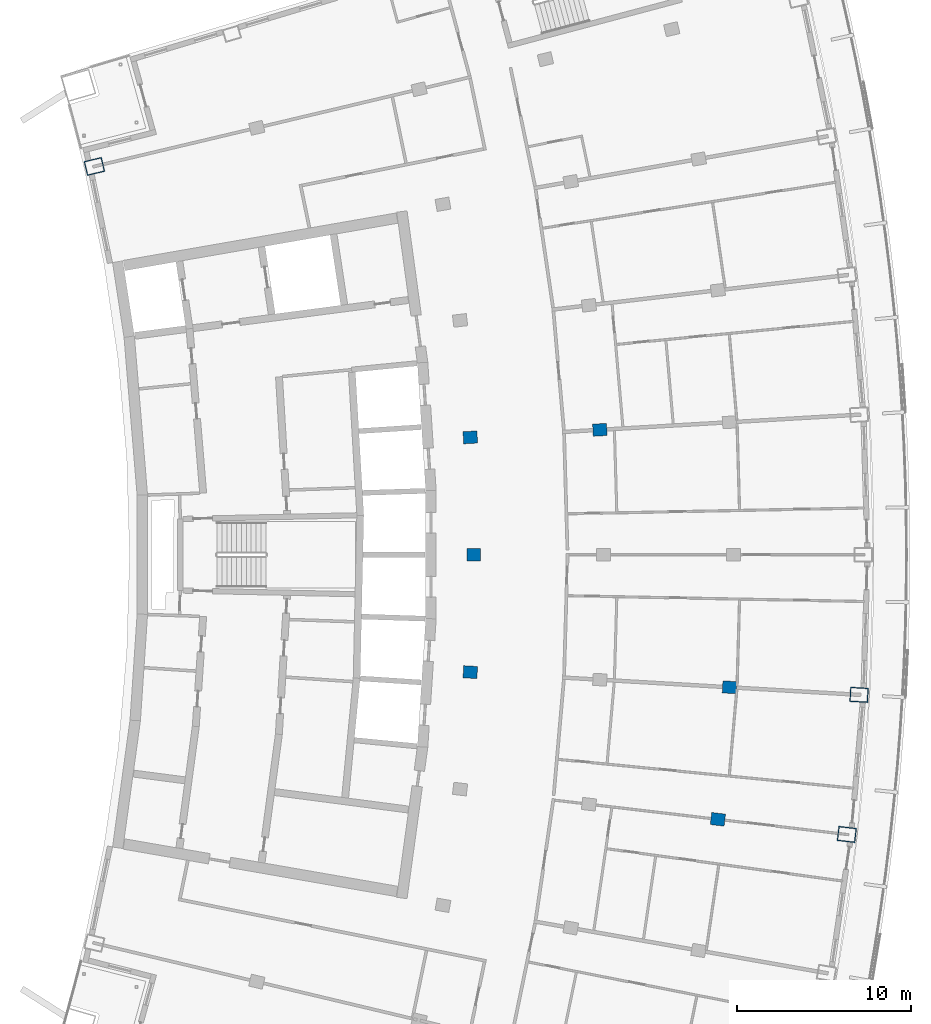
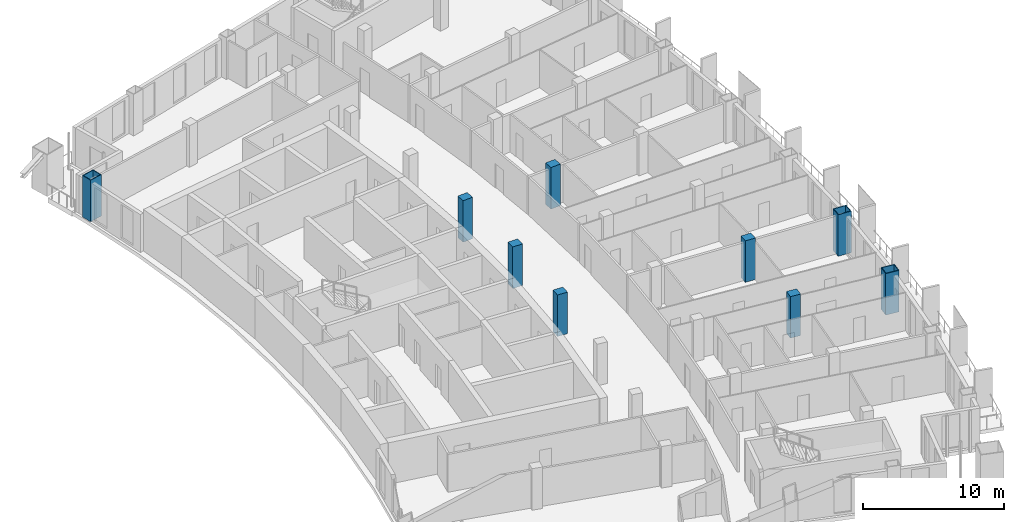
# One storey, part 4 of 19: 9 columns.
"""IFC4 building model written with IfcOpenShell, lengths in metres."""

import ifcopenshell
import ifcopenshell.guid

model = None  # the IFC model being written
_history = None  # IfcOwnerHistory: only IFC2X3 demands one
_inside = {}  # id of a spatial element -> (the spatial element, [elements in it])
_under = {}  # id of a project, library or spatial element -> (it, [spatial elements below it])
_declared = {}  # id of a project -> (the project, [libraries it declares])
_typed = {}  # id of a type object -> (the type object, [elements of that type])
_made_of = {}  # id of a material, layer set ... -> (it, [elements and type objects made of it])


def new_model(schema):
    """Start an empty IFC model of exactly this schema.

    Asked for "IFC4X3", IfcOpenShell would pick the latest addendum, in which some entities
    have other attributes; the version numbers below select the first issue.
    IFC2X3 requires an IfcOwnerHistory on every rooted entity: one is made here for all.
    """
    global model, _history
    if schema == "IFC4X3":
        model = ifcopenshell.file(schema_version=(4, 3, 0, 0))
    else:
        model = ifcopenshell.file(schema=schema)
    _inside.clear()
    _under.clear()
    _declared.clear()
    _typed.clear()
    _made_of.clear()
    _history = None
    if model.schema == "IFC2X3":
        org = make("IfcOrganization", Name="unknown")
        user = make(
            "IfcPersonAndOrganization",
            ThePerson=make("IfcPerson", FamilyName="unknown"),
            TheOrganization=org,
        )
        app = make(
            "IfcApplication",
            ApplicationDeveloper=org,
            Version="unknown",
            ApplicationFullName="unknown",
            ApplicationIdentifier="unknown",
        )
        _history = make(
            "IfcOwnerHistory",
            OwningUser=user,
            OwningApplication=app,
            ChangeAction="ADDED",
            CreationDate=0,
        )
    return model


def make(cls, **values):
    """One entity of the class cls with the attributes given. An attribute that is None is left unset."""
    return model.create_entity(
        cls, **{name: value for name, value in values.items() if value is not None}
    )


def rooted(cls, **values):
    """An entity with a GlobalId (a new one), such as an element, a storey or a relation."""
    return make(cls, GlobalId=ifcopenshell.guid.new(), OwnerHistory=_history, **values)


def si_unit(unit_type, name, prefix=None):
    """IfcSIUnit, for example si_unit("LENGTHUNIT", "METRE", prefix="MILLI")."""
    return make("IfcSIUnit", UnitType=unit_type, Prefix=prefix, Name=name)


def assignment(units):
    """IfcUnitAssignment: the units of a project."""
    return None if units is None else make("IfcUnitAssignment", Units=units)


def point(xyz):
    """IfcCartesianPoint."""
    return None if xyz is None else make("IfcCartesianPoint", Coordinates=xyz)


def direction(xyz):
    """IfcDirection."""
    return None if xyz is None else make("IfcDirection", DirectionRatios=xyz)


def frame(location, z_axis=None, x_axis=None):
    """IfcAxis2Placement3D, a coordinate frame: its origin and axes. An axis left out is left unset."""
    return make(
        "IfcAxis2Placement3D",
        Location=point(location),
        Axis=direction(z_axis),
        RefDirection=direction(x_axis),
    )


def frame_2d(location, x_axis=None):
    """IfcAxis2Placement2D, a coordinate frame in the plane: its origin and x axis."""
    return make(
        "IfcAxis2Placement2D", Location=point(location), RefDirection=direction(x_axis)
    )


def origin():
    """The frame at (0, 0, 0) with its axes left unset."""
    return frame((0.0, 0.0, 0.0))


def origin_2d():
    """The frame at (0, 0) in the plane with its x axis left unset."""
    return frame_2d((0.0, 0.0))


def place(relative_to, where):
    """IfcLocalPlacement: puts the frame where relative to a parent placement (None: the world)."""
    return make(
        "IfcLocalPlacement", PlacementRelTo=relative_to, RelativePlacement=where
    )


def context(
    kind, dimensions, precision=None, world=None, true_north=None, identifier=None
):
    """IfcGeometricRepresentationContext, for example the 3D "Model" context."""
    return make(
        "IfcGeometricRepresentationContext",
        ContextIdentifier=identifier,
        ContextType=kind,
        CoordinateSpaceDimension=dimensions,
        Precision=precision,
        WorldCoordinateSystem=world,
        TrueNorth=true_north,
    )


def subcontext(parent, identifier, kind, view, scale=None):
    """IfcGeometricRepresentationSubContext, for example "Body" below "Model"."""
    return make(
        "IfcGeometricRepresentationSubContext",
        ContextIdentifier=identifier,
        ContextType=kind,
        ParentContext=parent,
        TargetScale=scale,
        TargetView=view,
    )


def project(units=None, contexts=None):
    """IfcProject with its units and contexts."""
    return rooted(
        "IfcProject",
        Name="project",
        RepresentationContexts=contexts,
        UnitsInContext=assignment(units),
    )


def spatial(cls, under=None, at=None, **own):
    """A site, building, storey or space (cls), placed at a placement, below another one or the project."""
    s = rooted(cls, ObjectPlacement=at, **own)
    if under is not None:
        _under.setdefault(under.id(), (under, []))[1].append(s)
    return s


def profile(cls, at=None, kind="AREA", **sizes):
    """A parametric profile (cls). Its sizes go by their IFC names, for example OverallWidth=200.0."""
    return make(cls, ProfileType=kind, Position=at, **sizes)


def rectangle(**sizes):
    """IfcRectangleProfileDef."""
    return profile("IfcRectangleProfileDef", **sizes)


def hollow_rectangle(**sizes):
    """IfcRectangleHollowProfileDef."""
    return profile("IfcRectangleHollowProfileDef", **sizes)


def extrude(swept, where, along, depth):
    """IfcExtrudedAreaSolid: the profile swept, set in the frame where, extruded along a direction by depth."""
    return make(
        "IfcExtrudedAreaSolid",
        SweptArea=swept,
        Position=where,
        ExtrudedDirection=direction(along),
        Depth=depth,
    )


def shape(context_of_items, identifier, shape_type, items):
    """IfcShapeRepresentation: the items that make up one representation, for example the "Body"."""
    return make(
        "IfcShapeRepresentation",
        ContextOfItems=context_of_items,
        RepresentationIdentifier=identifier,
        RepresentationType=shape_type,
        Items=items,
    )


def material(Name=None, Category=None):
    """IfcMaterial."""
    return make("IfcMaterial", Name=Name, Category=Category)


def material_profile(
    of_material, cross_section, Name=None, Category=None, Priority=None
):
    """IfcMaterialProfile: a cross section and its material."""
    return make(
        "IfcMaterialProfile",
        Name=Name,
        Material=of_material,
        Profile=cross_section,
        Priority=Priority,
        Category=Category,
    )


def profile_set(profiles, Name=None, composite=None):
    """IfcMaterialProfileSet."""
    return make(
        "IfcMaterialProfileSet",
        Name=Name,
        MaterialProfiles=profiles,
        CompositeProfile=composite,
    )


def made_of(thing, what):
    """Note that an element or type object is made of a material, layer set ...; save() writes the relation."""
    if what is not None:
        _made_of.setdefault(what.id(), (what, []))[1].append(thing)
    return thing


def type_object(cls, material=None, **own):
    """A type object (cls), such as IfcWallType, which elements share."""
    return made_of(rooted(cls, **own), material)


def element(
    cls,
    number,
    at=None,
    inside=None,
    cuts=None,
    type_object=None,
    material=None,
    context=None,
    identifier="Body",
    shape_type=None,
    held_by="IfcProductDefinitionShape",
    body=None,
    shapes=None,
    **own,
):
    """One element of the class cls, such as IfcWall. Its Tag is "e" and its number.

    at: its placement. inside: the storey or other place that contains it. cuts: it is an
    opening in that element (IfcRelVoidsElement). A single representation is given by context,
    identifier, shape_type and body (its items); several are given by shapes. held_by: the class
    of the entity that holds the representations. save() writes the other relations.
    """
    e = rooted(cls, Tag="e%d" % number, ObjectPlacement=at, **own)
    if body is not None:
        shapes = [shape(context, identifier, shape_type, body)]
    if shapes is not None:
        e.Representation = make(held_by, Representations=shapes)
    if inside is not None:
        _inside.setdefault(inside.id(), (inside, []))[1].append(e)
    if cuts is not None:
        rooted(
            "IfcRelVoidsElement", RelatingBuildingElement=cuts, RelatedOpeningElement=e
        )
    if type_object is not None:
        _typed.setdefault(type_object.id(), (type_object, []))[1].append(e)
    return made_of(e, material)


def aggregate(whole, parts):
    """IfcRelAggregates: a whole, such as a stair, and the parts it consists of."""
    return rooted("IfcRelAggregates", RelatingObject=whole, RelatedObjects=parts)


def save(model, path):
    """Write the relations noted so far, then the file.

    IfcRelAggregates (storeys below a building ...), IfcRelContainedInSpatialStructure (elements
    in a storey), IfcRelDefinesByType, IfcRelAssociatesMaterial and IfcRelDeclares: one each for
    every whole, place, type object, material and project.
    """
    for whole, parts in _under.values():
        aggregate(whole, parts)
    for where, things in _inside.values():
        rooted(
            "IfcRelContainedInSpatialStructure",
            RelatedElements=things,
            RelatingStructure=where,
        )
    for kind, things in _typed.values():
        rooted("IfcRelDefinesByType", RelatedObjects=things, RelatingType=kind)
    for what, things in _made_of.values():
        rooted("IfcRelAssociatesMaterial", RelatedObjects=things, RelatingMaterial=what)
    for by, libraries in _declared.values():
        rooted("IfcRelDeclares", RelatingContext=by, RelatedDefinitions=libraries)
    model.write(path)


model = new_model("IFC4")

# Units and contexts
model_context = context("Model", 3, precision=1e-05, world=origin(), true_north=direction((0.0, 1.0)))
body_context = subcontext(model_context, "Body", "Model", "MODEL_VIEW")
ifc_project = project(units=[si_unit("LENGTHUNIT", "METRE"), si_unit("AREAUNIT", "SQUARE_METRE"), si_unit("VOLUMEUNIT", "CUBIC_METRE"), si_unit("PLANEANGLEUNIT", "RADIAN"), si_unit("MASSUNIT", "GRAM", prefix="KILO")], contexts=[model_context])

# Site, building, storey
site_placement = place(None, origin())
site = spatial("IfcSite", under=ifc_project, at=site_placement, CompositionType="ELEMENT")
building_placement = place(site_placement, origin())
building = spatial("IfcBuilding", under=site, at=building_placement, Name="Alderwake Tower", CompositionType="ELEMENT")
storey_placement = place(building_placement, frame((0.0, 0.0, 203.60009765625)))
storey = spatial("IfcBuildingStorey", under=building, at=storey_placement, Name="L50", CompositionType="ELEMENT", Elevation=203.60009765625)

# Columns
ifc_material_1 = material(Name="Concrete C70/85", Category="concrete")
ifc_material_profile_1 = material_profile(ifc_material_1, rectangle(XDim=0.699951171875, YDim=0.800048828125, at=origin_2d()), Name="RC 800X700")
ifc_profile_set_1 = profile_set([ifc_material_profile_1], Name="Concrete C70/85")
column_type_1 = type_object("IfcColumnType", Name="Interior column Z4", PredefinedType="COLUMN", material=ifc_profile_set_1)
for number, where, z_axis, x_axis, name in (
    (1, (49.844482421875, 45.782470703125, 0.0), (0.0, 0.0, 1.0), (0.116402054316, 0.993202175668, 0.0), "Column R05-C4"),
    (2, (35.60302734375, 54.248779296875, 0.0), (0.0, 0.0, 1.0), (0.058301061284, 0.998299046505, 0.0), "Column R06-C2"),
    (3, (50.510986328125, 53.378173828125, 0.0), (0.0, 0.0, 1.0), (0.058301061284, 0.998299046505, 0.0), "Column R06-C4"),
    (4, (35.800048828125, 61.0, 0.0), (0.0, 0.0, 1.0), (0.0, 1.0, 0.0), "Column R07-C2"),
    (5, (35.60302734375, 67.751220703125, 0.0), (0.0, 0.0, 1.0), (-0.058301061284, 0.998299046505, 0.0), "Column R08-C2"),
    (6, (43.056884765625, 68.1865234375, 0.0), (0.0, 0.0, 1.0), (-0.058301061284, 0.998299046505, 0.0), "Column R08-C3"),
):
    element("IfcColumn", number, at=place(storey_placement, frame(where, z_axis=z_axis, x_axis=x_axis)), inside=storey, type_object=column_type_1, Name=name, PredefinedType="COLUMN", context=body_context, shape_type="SweptSolid", body=[
        extrude(rectangle(XDim=0.699951171875, YDim=0.800048828125, at=origin_2d()), origin(), (0.0, 0.0, 1.0), 3.599853515625),
    ])
ifc_material_2 = material(Name="Steel ASTM A572 Grade 50 concrete filled C70/85", Category="concrete")
ifc_material_profile_2 = material_profile(ifc_material_2, hollow_rectangle(XDim=0.85009765625, YDim=1.050048828125, WallThickness=0.054931640625, at=origin_2d()), Name="BOX 1050X850X55")
ifc_profile_set_2 = profile_set([ifc_material_profile_2], Name="Steel ASTM A572 Grade 50 concrete filled C70/85")
column_type_2 = type_object("IfcColumnType", Name="Perimeter column Z4", PredefinedType="COLUMN", material=ifc_profile_set_2)
for number, where, z_axis, x_axis, name in (
    (7, (57.260498046875, 44.9130859375, 0.0), (0.0, 0.0, 1.0), (0.116402054316, 0.993202175668, 0.0), "Column R05-C5"),
    (8, (57.96484375, 52.94287109375, 0.0), (0.0, 0.0, 1.0), (0.058301061284, 0.998299046505, 0.0), "Column R06-C5"),
    (9, (13.982177734375, 83.3359375, 0.0), (0.0, 0.0, 1.0), (-0.231221547198, 0.972901123502, 0.0), "Column R11-C0"),
):
    element("IfcColumn", number, at=place(storey_placement, frame(where, z_axis=z_axis, x_axis=x_axis)), inside=storey, type_object=column_type_2, Name=name, PredefinedType="COLUMN", context=body_context, shape_type="SweptSolid", body=[
        extrude(hollow_rectangle(XDim=0.85009765625, YDim=1.050048828125, WallThickness=0.054931640625, at=origin_2d()), origin(), (0.0, 0.0, 1.0), 3.599853515625),
    ])

save(model, "model.ifc")
